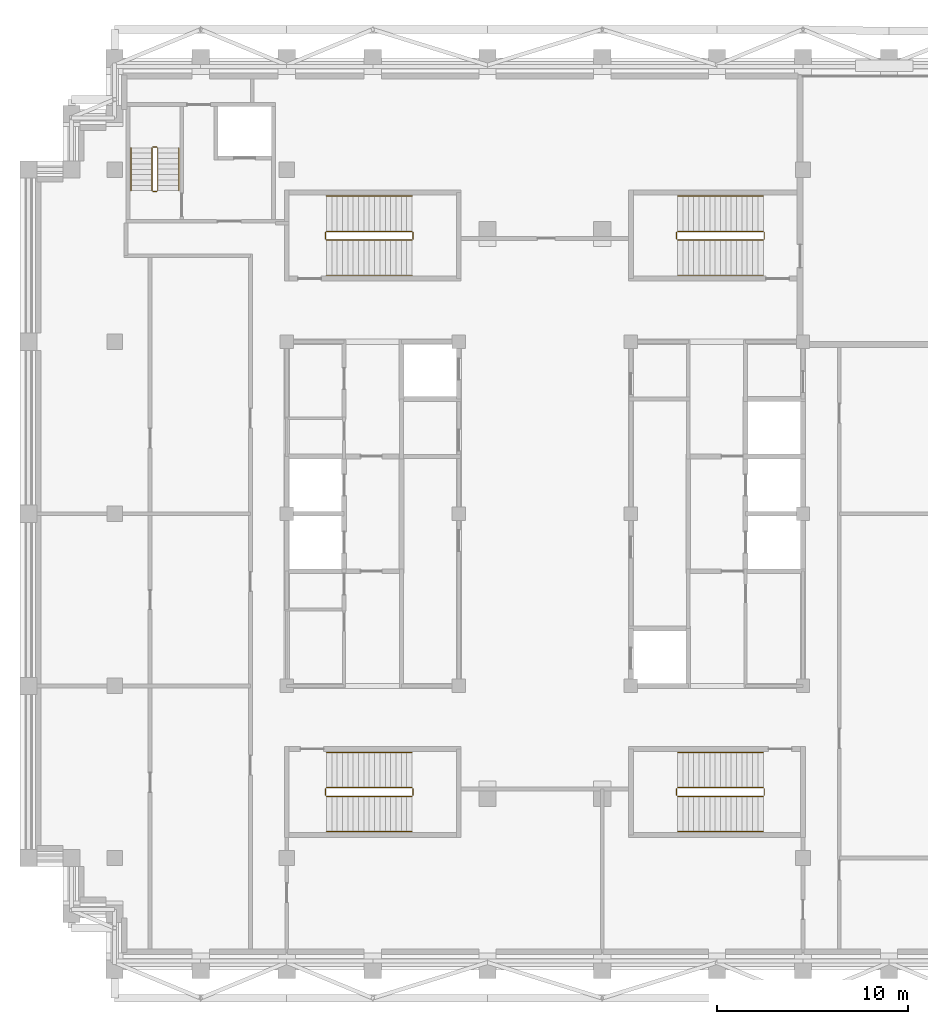
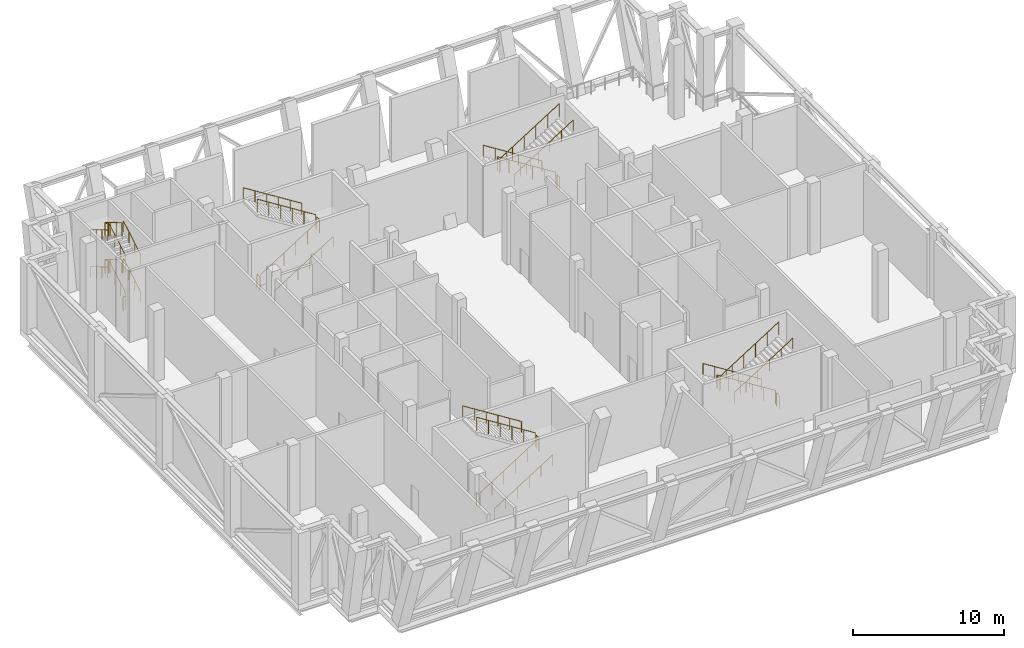
# One storey, part 8 of 9: 5 railings.
"""IFC4 building model written with IfcOpenShell, lengths in metres."""

from ifc_helpers import new_model, si_unit, direction, frame, origin, origin_2d, place, context, subcontext, project, spatial, circle, extrude, material, type_object, element, save


model = new_model("IFC4")

# Units and contexts
model_context = context("Model", 3, precision=1e-05, world=origin(), true_north=direction((0.0, 1.0)))
body_context = subcontext(model_context, "Body", "Model", "MODEL_VIEW")
ifc_project = project(units=[si_unit("LENGTHUNIT", "METRE"), si_unit("AREAUNIT", "SQUARE_METRE"), si_unit("VOLUMEUNIT", "CUBIC_METRE"), si_unit("PLANEANGLEUNIT", "RADIAN"), si_unit("MASSUNIT", "GRAM", prefix="KILO")], contexts=[model_context])

# Site, building, storey
site_placement = place(None, origin())
site = spatial("IfcSite", under=ifc_project, at=site_placement, CompositionType="ELEMENT")
building_placement = place(site_placement, origin())
building = spatial("IfcBuilding", under=site, at=building_placement, Name="Corbelhall Arena Tower", CompositionType="ELEMENT")
storey_placement = place(building_placement, frame((0.0, 0.0, 320.0)))
storey = spatial("IfcBuildingStorey", under=building, at=storey_placement, Name="L70", CompositionType="ELEMENT", Elevation=320.0)

# Railings
ifc_material = material(Name="Steel ASTM A500 Gr C", Category="steel")
railing_type = type_object("IfcRailingType", Name="IN-GD-1100", PredefinedType="GUARDRAIL", material=ifc_material)
railing_1_placement = place(storey_placement, frame((-11.425048828125, 14.324951171875, 0.176513671875)))
element("IfcRailing", 1, at=railing_1_placement, inside=storey, type_object=railing_type, Name="L70 ST1 stair guards and handrails", PredefinedType="GUARDRAIL", context=body_context, shape_type="SweptSolid", body=[
    extrude(circle(Radius=0.02392578125, at=origin_2d()), frame((0.0, 0.0, 1.076171875), z_axis=(0.845997938375, 0.0, 0.533186166611), x_axis=(0.0, 1.0, 0.0)), (0.0, 0.0, 1.0), 5.29541015625),
    extrude(circle(Radius=0.02392578125, at=origin_2d()), frame((4.530029296875, 0.050048828125, 3.8994140625), z_axis=(0.0, 1.0, 0.0), x_axis=(-1.0, 0.0, 0.0)), (0.0, 0.0, 1.0), 0.35009765625),
    extrude(circle(Radius=0.02392578125, at=origin_2d()), frame((4.47998046875, 0.449951171875, 4.076171875), z_axis=(-0.845997938375, 0.0, 0.533186166611), x_axis=(0.0, -1.0, 0.0)), (0.0, 0.0, 1.0), 5.29541015625),
    extrude(circle(Radius=0.02392578125, at=origin_2d()), frame((-0.050048828125, 0.050048828125, 0.8994140625), z_axis=(0.0, 1.0, 0.0), x_axis=(-1.0, 0.0, 0.0)), (0.0, 0.0, 1.0), 0.35009765625),
    extrude(circle(Radius=0.02392578125, at=origin_2d()), frame((0.0, -1.849853515625, 0.8759765625), z_axis=(0.845997938375, 0.0, 0.533186166611), x_axis=(0.0, 1.0, 0.0)), (0.0, 0.0, 1.0), 5.29541015625),
    extrude(circle(Radius=0.02392578125, at=origin_2d()), frame((4.47998046875, 2.300048828125, 3.8759765625), z_axis=(-0.845997938375, 0.0, 0.533186166611), x_axis=(0.0, -1.0, 0.0)), (0.0, 0.0, 1.0), 5.29541015625),
    extrude(circle(Radius=0.02099609375, at=origin_2d()), origin(), (0.0, 0.0, 1.0), 1.052001953125),
    extrude(circle(Radius=0.02099609375, at=origin_2d()), frame((0.89599609375, 0.0, 0.564697265625)), (0.0, 0.0, 1.0), 1.052001953125),
    extrude(circle(Radius=0.02099609375, at=origin_2d()), frame((1.7919921875, 0.0, 1.12939453125)), (0.0, 0.0, 1.0), 1.052001953125),
    extrude(circle(Radius=0.02099609375, at=origin_2d()), frame((2.68798828125, 0.0, 1.694091796875)), (0.0, 0.0, 1.0), 1.052001953125),
    extrude(circle(Radius=0.02099609375, at=origin_2d()), frame((3.583984375, 0.0, 2.2587890625)), (0.0, 0.0, 1.0), 1.052001953125),
    extrude(circle(Radius=0.02099609375, at=origin_2d()), frame((4.47998046875, 0.0, 2.823486328125)), (0.0, 0.0, 1.0), 1.052001953125),
    extrude(circle(Radius=0.02099609375, at=origin_2d()), frame((4.530029296875, 0.050048828125, 2.823486328125)), (0.0, 0.0, 1.0), 1.052001953125),
    extrude(circle(Radius=0.02099609375, at=origin_2d()), frame((4.530029296875, 0.400146484375, 2.823486328125)), (0.0, 0.0, 1.0), 1.052001953125),
    extrude(circle(Radius=0.02099609375, at=origin_2d()), frame((4.47998046875, 0.449951171875, 3.0)), (0.0, 0.0, 1.0), 1.052001953125),
    extrude(circle(Radius=0.02099609375, at=origin_2d()), frame((3.583984375, 0.449951171875, 3.564697265625)), (0.0, 0.0, 1.0), 1.052001953125),
    extrude(circle(Radius=0.02099609375, at=origin_2d()), frame((2.68798828125, 0.449951171875, 4.12939453125)), (0.0, 0.0, 1.0), 1.052001953125),
    extrude(circle(Radius=0.02099609375, at=origin_2d()), frame((1.7919921875, 0.449951171875, 4.694091796875)), (0.0, 0.0, 1.0), 1.052001953125),
    extrude(circle(Radius=0.02099609375, at=origin_2d()), frame((0.89599609375, 0.449951171875, 5.2587890625)), (0.0, 0.0, 1.0), 1.052001953125),
    extrude(circle(Radius=0.02099609375, at=origin_2d()), frame((0.0, 0.449951171875, 5.823486328125)), (0.0, 0.0, 1.0), 1.052001953125),
    extrude(circle(Radius=0.02099609375, at=origin_2d()), frame((-0.050048828125, 0.050048828125, -0.176513671875)), (0.0, 0.0, 1.0), 1.052001953125),
    extrude(circle(Radius=0.02099609375, at=origin_2d()), frame((-0.050048828125, 0.400146484375, -0.176513671875)), (0.0, 0.0, 1.0), 1.052001953125),
    extrude(circle(Radius=0.02099609375, at=origin_2d()), frame((0.0, -1.849853515625, 0.0)), (0.0, 0.0, 1.0), 0.851806640625),
    extrude(circle(Radius=0.02099609375, at=origin_2d()), frame((0.89599609375, -1.849853515625, 0.564697265625)), (0.0, 0.0, 1.0), 0.851806640625),
    extrude(circle(Radius=0.02099609375, at=origin_2d()), frame((1.7919921875, -1.849853515625, 1.12939453125)), (0.0, 0.0, 1.0), 0.851806640625),
    extrude(circle(Radius=0.02099609375, at=origin_2d()), frame((2.68798828125, -1.849853515625, 1.694091796875)), (0.0, 0.0, 1.0), 0.851806640625),
    extrude(circle(Radius=0.02099609375, at=origin_2d()), frame((3.583984375, -1.849853515625, 2.2587890625)), (0.0, 0.0, 1.0), 0.851806640625),
    extrude(circle(Radius=0.02099609375, at=origin_2d()), frame((4.47998046875, -1.849853515625, 2.823486328125)), (0.0, 0.0, 1.0), 0.851806640625),
    extrude(circle(Radius=0.02099609375, at=origin_2d()), frame((4.47998046875, 2.300048828125, 3.0)), (0.0, 0.0, 1.0), 0.851806640625),
    extrude(circle(Radius=0.02099609375, at=origin_2d()), frame((3.583984375, 2.300048828125, 3.564697265625)), (0.0, 0.0, 1.0), 0.851806640625),
    extrude(circle(Radius=0.02099609375, at=origin_2d()), frame((2.68798828125, 2.300048828125, 4.12939453125)), (0.0, 0.0, 1.0), 0.851806640625),
    extrude(circle(Radius=0.02099609375, at=origin_2d()), frame((1.7919921875, 2.300048828125, 4.694091796875)), (0.0, 0.0, 1.0), 0.851806640625),
    extrude(circle(Radius=0.02099609375, at=origin_2d()), frame((0.89599609375, 2.300048828125, 5.2587890625)), (0.0, 0.0, 1.0), 0.851806640625),
    extrude(circle(Radius=0.02099609375, at=origin_2d()), frame((0.0, 2.300048828125, 5.823486328125)), (0.0, 0.0, 1.0), 0.851806640625),
])
railing_2_placement = place(storey_placement, frame((-11.425048828125, -14.77490234375, 0.176513671875)))
element("IfcRailing", 2, at=railing_2_placement, inside=storey, type_object=railing_type, Name="L70 ST2 stair guards and handrails", PredefinedType="GUARDRAIL", context=body_context, shape_type="SweptSolid", body=[
    extrude(circle(Radius=0.02392578125, at=origin_2d()), frame((0.0, 0.0, 1.076171875), z_axis=(0.845997938375, 0.0, 0.533186166611), x_axis=(0.0, 1.0, 0.0)), (0.0, 0.0, 1.0), 5.29541015625),
    extrude(circle(Radius=0.02392578125, at=origin_2d()), frame((4.530029296875, 0.0498046875, 3.8994140625), z_axis=(0.0, 1.0, 0.0), x_axis=(-1.0, 0.0, 0.0)), (0.0, 0.0, 1.0), 0.35009765625),
    extrude(circle(Radius=0.02392578125, at=origin_2d()), frame((4.47998046875, 0.449951171875, 4.076171875), z_axis=(-0.845997938375, 0.0, 0.533186166611), x_axis=(0.0, -1.0, 0.0)), (0.0, 0.0, 1.0), 5.29541015625),
    extrude(circle(Radius=0.02392578125, at=origin_2d()), frame((-0.050048828125, 0.0498046875, 0.8994140625), z_axis=(0.0, 1.0, 0.0), x_axis=(-1.0, 0.0, 0.0)), (0.0, 0.0, 1.0), 0.35009765625),
    extrude(circle(Radius=0.02392578125, at=origin_2d()), frame((0.0, -1.85009765625, 0.8759765625), z_axis=(0.845997938375, 0.0, 0.533186166611), x_axis=(0.0, 1.0, 0.0)), (0.0, 0.0, 1.0), 5.29541015625),
    extrude(circle(Radius=0.02392578125, at=origin_2d()), frame((4.47998046875, 2.2998046875, 3.8759765625), z_axis=(-0.845997938375, 0.0, 0.533186166611), x_axis=(0.0, -1.0, 0.0)), (0.0, 0.0, 1.0), 5.29541015625),
    extrude(circle(Radius=0.02099609375, at=origin_2d()), origin(), (0.0, 0.0, 1.0), 1.052001953125),
    extrude(circle(Radius=0.02099609375, at=origin_2d()), frame((0.89599609375, 0.0, 0.564697265625)), (0.0, 0.0, 1.0), 1.052001953125),
    extrude(circle(Radius=0.02099609375, at=origin_2d()), frame((1.7919921875, 0.0, 1.12939453125)), (0.0, 0.0, 1.0), 1.052001953125),
    extrude(circle(Radius=0.02099609375, at=origin_2d()), frame((2.68798828125, 0.0, 1.694091796875)), (0.0, 0.0, 1.0), 1.052001953125),
    extrude(circle(Radius=0.02099609375, at=origin_2d()), frame((3.583984375, 0.0, 2.2587890625)), (0.0, 0.0, 1.0), 1.052001953125),
    extrude(circle(Radius=0.02099609375, at=origin_2d()), frame((4.47998046875, 0.0, 2.823486328125)), (0.0, 0.0, 1.0), 1.052001953125),
    extrude(circle(Radius=0.02099609375, at=origin_2d()), frame((4.530029296875, 0.0498046875, 2.823486328125)), (0.0, 0.0, 1.0), 1.052001953125),
    extrude(circle(Radius=0.02099609375, at=origin_2d()), frame((4.530029296875, 0.39990234375, 2.823486328125)), (0.0, 0.0, 1.0), 1.052001953125),
    extrude(circle(Radius=0.02099609375, at=origin_2d()), frame((4.47998046875, 0.449951171875, 3.0)), (0.0, 0.0, 1.0), 1.052001953125),
    extrude(circle(Radius=0.02099609375, at=origin_2d()), frame((3.583984375, 0.449951171875, 3.564697265625)), (0.0, 0.0, 1.0), 1.052001953125),
    extrude(circle(Radius=0.02099609375, at=origin_2d()), frame((2.68798828125, 0.449951171875, 4.12939453125)), (0.0, 0.0, 1.0), 1.052001953125),
    extrude(circle(Radius=0.02099609375, at=origin_2d()), frame((1.7919921875, 0.449951171875, 4.694091796875)), (0.0, 0.0, 1.0), 1.052001953125),
    extrude(circle(Radius=0.02099609375, at=origin_2d()), frame((0.89599609375, 0.449951171875, 5.2587890625)), (0.0, 0.0, 1.0), 1.052001953125),
    extrude(circle(Radius=0.02099609375, at=origin_2d()), frame((0.0, 0.449951171875, 5.823486328125)), (0.0, 0.0, 1.0), 1.052001953125),
    extrude(circle(Radius=0.02099609375, at=origin_2d()), frame((-0.050048828125, 0.0498046875, -0.176513671875)), (0.0, 0.0, 1.0), 1.052001953125),
    extrude(circle(Radius=0.02099609375, at=origin_2d()), frame((-0.050048828125, 0.39990234375, -0.176513671875)), (0.0, 0.0, 1.0), 1.052001953125),
    extrude(circle(Radius=0.02099609375, at=origin_2d()), frame((0.0, -1.85009765625, 0.0)), (0.0, 0.0, 1.0), 0.851806640625),
    extrude(circle(Radius=0.02099609375, at=origin_2d()), frame((0.89599609375, -1.85009765625, 0.564697265625)), (0.0, 0.0, 1.0), 0.851806640625),
    extrude(circle(Radius=0.02099609375, at=origin_2d()), frame((1.7919921875, -1.85009765625, 1.12939453125)), (0.0, 0.0, 1.0), 0.851806640625),
    extrude(circle(Radius=0.02099609375, at=origin_2d()), frame((2.68798828125, -1.85009765625, 1.694091796875)), (0.0, 0.0, 1.0), 0.851806640625),
    extrude(circle(Radius=0.02099609375, at=origin_2d()), frame((3.583984375, -1.85009765625, 2.2587890625)), (0.0, 0.0, 1.0), 0.851806640625),
    extrude(circle(Radius=0.02099609375, at=origin_2d()), frame((4.47998046875, -1.85009765625, 2.823486328125)), (0.0, 0.0, 1.0), 0.851806640625),
    extrude(circle(Radius=0.02099609375, at=origin_2d()), frame((4.47998046875, 2.2998046875, 3.0)), (0.0, 0.0, 1.0), 0.851806640625),
    extrude(circle(Radius=0.02099609375, at=origin_2d()), frame((3.583984375, 2.2998046875, 3.564697265625)), (0.0, 0.0, 1.0), 0.851806640625),
    extrude(circle(Radius=0.02099609375, at=origin_2d()), frame((2.68798828125, 2.2998046875, 4.12939453125)), (0.0, 0.0, 1.0), 0.851806640625),
    extrude(circle(Radius=0.02099609375, at=origin_2d()), frame((1.7919921875, 2.2998046875, 4.694091796875)), (0.0, 0.0, 1.0), 0.851806640625),
    extrude(circle(Radius=0.02099609375, at=origin_2d()), frame((0.89599609375, 2.2998046875, 5.2587890625)), (0.0, 0.0, 1.0), 0.851806640625),
    extrude(circle(Radius=0.02099609375, at=origin_2d()), frame((0.0, 2.2998046875, 5.823486328125)), (0.0, 0.0, 1.0), 0.851806640625),
])
railing_3_placement = place(storey_placement, frame((11.425048828125, 14.77490234375, 0.176513671875)))
element("IfcRailing", 3, at=railing_3_placement, inside=storey, type_object=railing_type, Name="L70 ST3 stair guards and handrails", PredefinedType="GUARDRAIL", context=body_context, shape_type="SweptSolid", body=[
    extrude(circle(Radius=0.02392578125, at=origin_2d()), frame((0.0, 0.0, 1.076171875), z_axis=(-0.845997938375, 0.0, 0.533186166611), x_axis=(0.0, -1.0, 0.0)), (0.0, 0.0, 1.0), 5.29541015625),
    extrude(circle(Radius=0.02392578125, at=origin_2d()), frame((-4.530029296875, -0.0498046875, 3.8994140625), z_axis=(0.0, -1.0, 0.0), x_axis=(1.0, 0.0, 0.0)), (0.0, 0.0, 1.0), 0.35009765625),
    extrude(circle(Radius=0.02392578125, at=origin_2d()), frame((-4.47998046875, -0.449951171875, 4.076171875), z_axis=(0.845997938375, 0.0, 0.533186166611), x_axis=(0.0, 1.0, 0.0)), (0.0, 0.0, 1.0), 5.29541015625),
    extrude(circle(Radius=0.02392578125, at=origin_2d()), frame((0.050048828125, -0.0498046875, 0.8994140625), z_axis=(0.0, -1.0, 0.0), x_axis=(1.0, 0.0, 0.0)), (0.0, 0.0, 1.0), 0.35009765625),
    extrude(circle(Radius=0.02392578125, at=origin_2d()), frame((0.0, 1.85009765625, 0.8759765625), z_axis=(-0.845997938375, 0.0, 0.533186166611), x_axis=(0.0, -1.0, 0.0)), (0.0, 0.0, 1.0), 5.29541015625),
    extrude(circle(Radius=0.02392578125, at=origin_2d()), frame((-4.47998046875, -2.2998046875, 3.8759765625), z_axis=(0.845997938375, 0.0, 0.533186166611), x_axis=(0.0, 1.0, 0.0)), (0.0, 0.0, 1.0), 5.29541015625),
    extrude(circle(Radius=0.02099609375, at=origin_2d()), origin(), (0.0, 0.0, 1.0), 1.052001953125),
    extrude(circle(Radius=0.02099609375, at=origin_2d()), frame((-0.89599609375, 0.0, 0.564697265625)), (0.0, 0.0, 1.0), 1.052001953125),
    extrude(circle(Radius=0.02099609375, at=origin_2d()), frame((-1.7919921875, 0.0, 1.12939453125)), (0.0, 0.0, 1.0), 1.052001953125),
    extrude(circle(Radius=0.02099609375, at=origin_2d()), frame((-2.68798828125, 0.0, 1.694091796875)), (0.0, 0.0, 1.0), 1.052001953125),
    extrude(circle(Radius=0.02099609375, at=origin_2d()), frame((-3.583984375, 0.0, 2.2587890625)), (0.0, 0.0, 1.0), 1.052001953125),
    extrude(circle(Radius=0.02099609375, at=origin_2d()), frame((-4.47998046875, 0.0, 2.823486328125)), (0.0, 0.0, 1.0), 1.052001953125),
    extrude(circle(Radius=0.02099609375, at=origin_2d()), frame((-4.530029296875, -0.0498046875, 2.823486328125)), (0.0, 0.0, 1.0), 1.052001953125),
    extrude(circle(Radius=0.02099609375, at=origin_2d()), frame((-4.530029296875, -0.39990234375, 2.823486328125)), (0.0, 0.0, 1.0), 1.052001953125),
    extrude(circle(Radius=0.02099609375, at=origin_2d()), frame((-4.47998046875, -0.449951171875, 3.0)), (0.0, 0.0, 1.0), 1.052001953125),
    extrude(circle(Radius=0.02099609375, at=origin_2d()), frame((-3.583984375, -0.449951171875, 3.564697265625)), (0.0, 0.0, 1.0), 1.052001953125),
    extrude(circle(Radius=0.02099609375, at=origin_2d()), frame((-2.68798828125, -0.449951171875, 4.12939453125)), (0.0, 0.0, 1.0), 1.052001953125),
    extrude(circle(Radius=0.02099609375, at=origin_2d()), frame((-1.7919921875, -0.449951171875, 4.694091796875)), (0.0, 0.0, 1.0), 1.052001953125),
    extrude(circle(Radius=0.02099609375, at=origin_2d()), frame((-0.89599609375, -0.449951171875, 5.2587890625)), (0.0, 0.0, 1.0), 1.052001953125),
    extrude(circle(Radius=0.02099609375, at=origin_2d()), frame((0.0, -0.449951171875, 5.823486328125)), (0.0, 0.0, 1.0), 1.052001953125),
    extrude(circle(Radius=0.02099609375, at=origin_2d()), frame((0.050048828125, -0.0498046875, -0.176513671875)), (0.0, 0.0, 1.0), 1.052001953125),
    extrude(circle(Radius=0.02099609375, at=origin_2d()), frame((0.050048828125, -0.39990234375, -0.176513671875)), (0.0, 0.0, 1.0), 1.052001953125),
    extrude(circle(Radius=0.02099609375, at=origin_2d()), frame((0.0, 1.85009765625, 0.0)), (0.0, 0.0, 1.0), 0.851806640625),
    extrude(circle(Radius=0.02099609375, at=origin_2d()), frame((-0.89599609375, 1.85009765625, 0.564697265625)), (0.0, 0.0, 1.0), 0.851806640625),
    extrude(circle(Radius=0.02099609375, at=origin_2d()), frame((-1.7919921875, 1.85009765625, 1.12939453125)), (0.0, 0.0, 1.0), 0.851806640625),
    extrude(circle(Radius=0.02099609375, at=origin_2d()), frame((-2.68798828125, 1.85009765625, 1.694091796875)), (0.0, 0.0, 1.0), 0.851806640625),
    extrude(circle(Radius=0.02099609375, at=origin_2d()), frame((-3.583984375, 1.85009765625, 2.2587890625)), (0.0, 0.0, 1.0), 0.851806640625),
    extrude(circle(Radius=0.02099609375, at=origin_2d()), frame((-4.47998046875, 1.85009765625, 2.823486328125)), (0.0, 0.0, 1.0), 0.851806640625),
    extrude(circle(Radius=0.02099609375, at=origin_2d()), frame((-4.47998046875, -2.2998046875, 3.0)), (0.0, 0.0, 1.0), 0.851806640625),
    extrude(circle(Radius=0.02099609375, at=origin_2d()), frame((-3.583984375, -2.2998046875, 3.564697265625)), (0.0, 0.0, 1.0), 0.851806640625),
    extrude(circle(Radius=0.02099609375, at=origin_2d()), frame((-2.68798828125, -2.2998046875, 4.12939453125)), (0.0, 0.0, 1.0), 0.851806640625),
    extrude(circle(Radius=0.02099609375, at=origin_2d()), frame((-1.7919921875, -2.2998046875, 4.694091796875)), (0.0, 0.0, 1.0), 0.851806640625),
    extrude(circle(Radius=0.02099609375, at=origin_2d()), frame((-0.89599609375, -2.2998046875, 5.2587890625)), (0.0, 0.0, 1.0), 0.851806640625),
    extrude(circle(Radius=0.02099609375, at=origin_2d()), frame((0.0, -2.2998046875, 5.823486328125)), (0.0, 0.0, 1.0), 0.851806640625),
])
railing_4_placement = place(storey_placement, frame((11.425048828125, -14.324951171875, 0.176513671875)))
element("IfcRailing", 4, at=railing_4_placement, inside=storey, type_object=railing_type, Name="L70 ST4 stair guards and handrails", PredefinedType="GUARDRAIL", context=body_context, shape_type="SweptSolid", body=[
    extrude(circle(Radius=0.02392578125, at=origin_2d()), frame((0.0, 0.0, 1.076171875), z_axis=(-0.845997938375, 0.0, 0.533186166611), x_axis=(0.0, -1.0, 0.0)), (0.0, 0.0, 1.0), 5.29541015625),
    extrude(circle(Radius=0.02392578125, at=origin_2d()), frame((-4.530029296875, -0.050048828125, 3.8994140625), z_axis=(0.0, -1.0, 0.0), x_axis=(1.0, 0.0, 0.0)), (0.0, 0.0, 1.0), 0.35009765625),
    extrude(circle(Radius=0.02392578125, at=origin_2d()), frame((-4.47998046875, -0.449951171875, 4.076171875), z_axis=(0.845997938375, 0.0, 0.533186166611), x_axis=(0.0, 1.0, 0.0)), (0.0, 0.0, 1.0), 5.29541015625),
    extrude(circle(Radius=0.02392578125, at=origin_2d()), frame((0.050048828125, -0.050048828125, 0.8994140625), z_axis=(0.0, -1.0, 0.0), x_axis=(1.0, 0.0, 0.0)), (0.0, 0.0, 1.0), 0.35009765625),
    extrude(circle(Radius=0.02392578125, at=origin_2d()), frame((0.0, 1.849853515625, 0.8759765625), z_axis=(-0.845997938375, 0.0, 0.533186166611), x_axis=(0.0, -1.0, 0.0)), (0.0, 0.0, 1.0), 5.29541015625),
    extrude(circle(Radius=0.02392578125, at=origin_2d()), frame((-4.47998046875, -2.300048828125, 3.8759765625), z_axis=(0.845997938375, 0.0, 0.533186166611), x_axis=(0.0, 1.0, 0.0)), (0.0, 0.0, 1.0), 5.29541015625),
    extrude(circle(Radius=0.02099609375, at=origin_2d()), origin(), (0.0, 0.0, 1.0), 1.052001953125),
    extrude(circle(Radius=0.02099609375, at=origin_2d()), frame((-0.89599609375, 0.0, 0.564697265625)), (0.0, 0.0, 1.0), 1.052001953125),
    extrude(circle(Radius=0.02099609375, at=origin_2d()), frame((-1.7919921875, 0.0, 1.12939453125)), (0.0, 0.0, 1.0), 1.052001953125),
    extrude(circle(Radius=0.02099609375, at=origin_2d()), frame((-2.68798828125, 0.0, 1.694091796875)), (0.0, 0.0, 1.0), 1.052001953125),
    extrude(circle(Radius=0.02099609375, at=origin_2d()), frame((-3.583984375, 0.0, 2.2587890625)), (0.0, 0.0, 1.0), 1.052001953125),
    extrude(circle(Radius=0.02099609375, at=origin_2d()), frame((-4.47998046875, 0.0, 2.823486328125)), (0.0, 0.0, 1.0), 1.052001953125),
    extrude(circle(Radius=0.02099609375, at=origin_2d()), frame((-4.530029296875, -0.050048828125, 2.823486328125)), (0.0, 0.0, 1.0), 1.052001953125),
    extrude(circle(Radius=0.02099609375, at=origin_2d()), frame((-4.530029296875, -0.400146484375, 2.823486328125)), (0.0, 0.0, 1.0), 1.052001953125),
    extrude(circle(Radius=0.02099609375, at=origin_2d()), frame((-4.47998046875, -0.449951171875, 3.0)), (0.0, 0.0, 1.0), 1.052001953125),
    extrude(circle(Radius=0.02099609375, at=origin_2d()), frame((-3.583984375, -0.449951171875, 3.564697265625)), (0.0, 0.0, 1.0), 1.052001953125),
    extrude(circle(Radius=0.02099609375, at=origin_2d()), frame((-2.68798828125, -0.449951171875, 4.12939453125)), (0.0, 0.0, 1.0), 1.052001953125),
    extrude(circle(Radius=0.02099609375, at=origin_2d()), frame((-1.7919921875, -0.449951171875, 4.694091796875)), (0.0, 0.0, 1.0), 1.052001953125),
    extrude(circle(Radius=0.02099609375, at=origin_2d()), frame((-0.89599609375, -0.449951171875, 5.2587890625)), (0.0, 0.0, 1.0), 1.052001953125),
    extrude(circle(Radius=0.02099609375, at=origin_2d()), frame((0.0, -0.449951171875, 5.823486328125)), (0.0, 0.0, 1.0), 1.052001953125),
    extrude(circle(Radius=0.02099609375, at=origin_2d()), frame((0.050048828125, -0.050048828125, -0.176513671875)), (0.0, 0.0, 1.0), 1.052001953125),
    extrude(circle(Radius=0.02099609375, at=origin_2d()), frame((0.050048828125, -0.400146484375, -0.176513671875)), (0.0, 0.0, 1.0), 1.052001953125),
    extrude(circle(Radius=0.02099609375, at=origin_2d()), frame((0.0, 1.849853515625, 0.0)), (0.0, 0.0, 1.0), 0.851806640625),
    extrude(circle(Radius=0.02099609375, at=origin_2d()), frame((-0.89599609375, 1.849853515625, 0.564697265625)), (0.0, 0.0, 1.0), 0.851806640625),
    extrude(circle(Radius=0.02099609375, at=origin_2d()), frame((-1.7919921875, 1.849853515625, 1.12939453125)), (0.0, 0.0, 1.0), 0.851806640625),
    extrude(circle(Radius=0.02099609375, at=origin_2d()), frame((-2.68798828125, 1.849853515625, 1.694091796875)), (0.0, 0.0, 1.0), 0.851806640625),
    extrude(circle(Radius=0.02099609375, at=origin_2d()), frame((-3.583984375, 1.849853515625, 2.2587890625)), (0.0, 0.0, 1.0), 0.851806640625),
    extrude(circle(Radius=0.02099609375, at=origin_2d()), frame((-4.47998046875, 1.849853515625, 2.823486328125)), (0.0, 0.0, 1.0), 0.851806640625),
    extrude(circle(Radius=0.02099609375, at=origin_2d()), frame((-4.47998046875, -2.300048828125, 3.0)), (0.0, 0.0, 1.0), 0.851806640625),
    extrude(circle(Radius=0.02099609375, at=origin_2d()), frame((-3.583984375, -2.300048828125, 3.564697265625)), (0.0, 0.0, 1.0), 0.851806640625),
    extrude(circle(Radius=0.02099609375, at=origin_2d()), frame((-2.68798828125, -2.300048828125, 4.12939453125)), (0.0, 0.0, 1.0), 0.851806640625),
    extrude(circle(Radius=0.02099609375, at=origin_2d()), frame((-1.7919921875, -2.300048828125, 4.694091796875)), (0.0, 0.0, 1.0), 0.851806640625),
    extrude(circle(Radius=0.02099609375, at=origin_2d()), frame((-0.89599609375, -2.300048828125, 5.2587890625)), (0.0, 0.0, 1.0), 0.851806640625),
    extrude(circle(Radius=0.02099609375, at=origin_2d()), frame((0.0, -2.300048828125, 5.823486328125)), (0.0, 0.0, 1.0), 0.851806640625),
])
railing_5_placement = place(storey_placement, frame((-20.2451171875, 16.89990234375, 0.166748046875)))
element("IfcRailing", 5, at=railing_5_placement, inside=storey, type_object=railing_type, Name="L70 ST5 stair guards and handrails", PredefinedType="GUARDRAIL", context=body_context, shape_type="SweptSolid", body=[
    extrude(circle(Radius=0.02392578125, at=origin_2d()), frame((0.0, 0.0, 1.076171875), z_axis=(0.0, 0.859305625298, 0.511462454469), x_axis=(-1.0, 0.0, 0.0)), (0.0, 0.0, 1.0), 2.606689453125),
    extrude(circle(Radius=0.02392578125, at=origin_2d()), frame((-0.0498046875, 2.2900390625, 2.4091796875), z_axis=(-1.0, 0.0, 0.0), x_axis=(0.0, -1.0, 0.0)), (0.0, 0.0, 1.0), 0.2001953125),
    extrude(circle(Radius=0.02392578125, at=origin_2d()), frame((-0.2998046875, 2.239990234375, 2.576171875), z_axis=(0.0, -0.859305625298, 0.511462454469), x_axis=(1.0, 0.0, 0.0)), (0.0, 0.0, 1.0), 2.606689453125),
    extrude(circle(Radius=0.02392578125, at=origin_2d()), frame((-0.0498046875, -0.0498046875, 3.9091796875), z_axis=(-1.0, 0.0, 0.0), x_axis=(0.0, -1.0, 0.0)), (0.0, 0.0, 1.0), 0.2001953125),
    extrude(circle(Radius=0.02392578125, at=origin_2d()), frame((0.0, 0.0, 4.076171875), z_axis=(0.0, 0.859305625298, 0.511462454469), x_axis=(-1.0, 0.0, 0.0)), (0.0, 0.0, 1.0), 2.606689453125),
    extrude(circle(Radius=0.02392578125, at=origin_2d()), frame((-0.0498046875, 2.2900390625, 5.4091796875), z_axis=(-1.0, 0.0, 0.0), x_axis=(0.0, -1.0, 0.0)), (0.0, 0.0, 1.0), 0.2001953125),
    extrude(circle(Radius=0.02392578125, at=origin_2d()), frame((-0.2998046875, 2.239990234375, 5.576171875), z_axis=(0.0, -0.859305625298, 0.511462454469), x_axis=(1.0, 0.0, 0.0)), (0.0, 0.0, 1.0), 2.606689453125),
    extrude(circle(Radius=0.02392578125, at=origin_2d()), frame((-0.0498046875, -0.0498046875, 0.9091796875), z_axis=(-1.0, 0.0, 0.0), x_axis=(0.0, -1.0, 0.0)), (0.0, 0.0, 1.0), 0.2001953125),
    extrude(circle(Radius=0.02392578125, at=origin_2d()), frame((1.10009765625, 0.0, 0.8759765625), z_axis=(0.0, 0.859305625298, 0.511462454469), x_axis=(-1.0, 0.0, 0.0)), (0.0, 0.0, 1.0), 2.606689453125),
    extrude(circle(Radius=0.02392578125, at=origin_2d()), frame((-1.39990234375, 2.239990234375, 2.3759765625), z_axis=(0.0, -0.859305625298, 0.511462454469), x_axis=(1.0, 0.0, 0.0)), (0.0, 0.0, 1.0), 2.606689453125),
    extrude(circle(Radius=0.02392578125, at=origin_2d()), frame((1.10009765625, 0.0, 3.8759765625), z_axis=(0.0, 0.859305625298, 0.511462454469), x_axis=(-1.0, 0.0, 0.0)), (0.0, 0.0, 1.0), 2.606689453125),
    extrude(circle(Radius=0.02392578125, at=origin_2d()), frame((-1.39990234375, 2.239990234375, 5.3759765625), z_axis=(0.0, -0.859305625298, 0.511462454469), x_axis=(1.0, 0.0, 0.0)), (0.0, 0.0, 1.0), 2.606689453125),
    extrude(circle(Radius=0.02099609375, at=origin_2d()), origin(), (0.0, 0.0, 1.0), 1.052001953125),
    extrude(circle(Radius=0.02099609375, at=origin_2d()), frame((0.0, 0.74658203125, 0.4443359375)), (0.0, 0.0, 1.0), 1.052001953125),
    extrude(circle(Radius=0.02099609375, at=origin_2d()), frame((0.0, 1.493408203125, 0.888916015625)), (0.0, 0.0, 1.0), 1.052001953125),
    extrude(circle(Radius=0.02099609375, at=origin_2d()), frame((0.0, 2.239990234375, 1.333251953125)), (0.0, 0.0, 1.0), 1.052001953125),
    extrude(circle(Radius=0.02099609375, at=origin_2d()), frame((-0.0498046875, 2.2900390625, 1.333251953125)), (0.0, 0.0, 1.0), 1.052001953125),
    extrude(circle(Radius=0.02099609375, at=origin_2d()), frame((-0.25, 2.2900390625, 1.333251953125)), (0.0, 0.0, 1.0), 1.052001953125),
    extrude(circle(Radius=0.02099609375, at=origin_2d()), frame((-0.2998046875, 2.239990234375, 1.5)), (0.0, 0.0, 1.0), 1.052001953125),
    extrude(circle(Radius=0.02099609375, at=origin_2d()), frame((-0.2998046875, 1.493408203125, 1.9443359375)), (0.0, 0.0, 1.0), 1.052001953125),
    extrude(circle(Radius=0.02099609375, at=origin_2d()), frame((-0.2998046875, 0.74658203125, 2.388916015625)), (0.0, 0.0, 1.0), 1.052001953125),
    extrude(circle(Radius=0.02099609375, at=origin_2d()), frame((-0.2998046875, 0.0, 2.833251953125)), (0.0, 0.0, 1.0), 1.052001953125),
    extrude(circle(Radius=0.02099609375, at=origin_2d()), frame((-0.0498046875, -0.0498046875, 2.833251953125)), (0.0, 0.0, 1.0), 1.052001953125),
    extrude(circle(Radius=0.02099609375, at=origin_2d()), frame((-0.25, -0.0498046875, 2.833251953125)), (0.0, 0.0, 1.0), 1.052001953125),
    extrude(circle(Radius=0.02099609375, at=origin_2d()), frame((0.0, 0.0, 3.0)), (0.0, 0.0, 1.0), 1.052001953125),
    extrude(circle(Radius=0.02099609375, at=origin_2d()), frame((0.0, 0.74658203125, 3.4443359375)), (0.0, 0.0, 1.0), 1.052001953125),
    extrude(circle(Radius=0.02099609375, at=origin_2d()), frame((0.0, 1.493408203125, 3.888916015625)), (0.0, 0.0, 1.0), 1.052001953125),
    extrude(circle(Radius=0.02099609375, at=origin_2d()), frame((0.0, 2.239990234375, 4.333251953125)), (0.0, 0.0, 1.0), 1.052001953125),
    extrude(circle(Radius=0.02099609375, at=origin_2d()), frame((-0.0498046875, 2.2900390625, 4.333251953125)), (0.0, 0.0, 1.0), 1.052001953125),
    extrude(circle(Radius=0.02099609375, at=origin_2d()), frame((-0.25, 2.2900390625, 4.333251953125)), (0.0, 0.0, 1.0), 1.052001953125),
    extrude(circle(Radius=0.02099609375, at=origin_2d()), frame((-0.2998046875, 2.239990234375, 4.5)), (0.0, 0.0, 1.0), 1.052001953125),
    extrude(circle(Radius=0.02099609375, at=origin_2d()), frame((-0.2998046875, 1.493408203125, 4.9443359375)), (0.0, 0.0, 1.0), 1.052001953125),
    extrude(circle(Radius=0.02099609375, at=origin_2d()), frame((-0.2998046875, 0.74658203125, 5.388916015625)), (0.0, 0.0, 1.0), 1.052001953125),
    extrude(circle(Radius=0.02099609375, at=origin_2d()), frame((-0.2998046875, 0.0, 5.833251953125)), (0.0, 0.0, 1.0), 1.052001953125),
    extrude(circle(Radius=0.02099609375, at=origin_2d()), frame((-0.0498046875, -0.0498046875, -0.166748046875)), (0.0, 0.0, 1.0), 1.052001953125),
    extrude(circle(Radius=0.02099609375, at=origin_2d()), frame((-0.25, -0.0498046875, -0.166748046875)), (0.0, 0.0, 1.0), 1.052001953125),
    extrude(circle(Radius=0.02099609375, at=origin_2d()), frame((1.10009765625, 0.0, 0.0)), (0.0, 0.0, 1.0), 0.851806640625),
    extrude(circle(Radius=0.02099609375, at=origin_2d()), frame((1.10009765625, 0.74658203125, 0.4443359375)), (0.0, 0.0, 1.0), 0.851806640625),
    extrude(circle(Radius=0.02099609375, at=origin_2d()), frame((1.10009765625, 1.493408203125, 0.888916015625)), (0.0, 0.0, 1.0), 0.851806640625),
    extrude(circle(Radius=0.02099609375, at=origin_2d()), frame((1.10009765625, 2.239990234375, 1.333251953125)), (0.0, 0.0, 1.0), 0.851806640625),
    extrude(circle(Radius=0.02099609375, at=origin_2d()), frame((-1.39990234375, 2.239990234375, 1.5)), (0.0, 0.0, 1.0), 0.851806640625),
    extrude(circle(Radius=0.02099609375, at=origin_2d()), frame((-1.39990234375, 1.493408203125, 1.9443359375)), (0.0, 0.0, 1.0), 0.851806640625),
    extrude(circle(Radius=0.02099609375, at=origin_2d()), frame((-1.39990234375, 0.74658203125, 2.388916015625)), (0.0, 0.0, 1.0), 0.851806640625),
    extrude(circle(Radius=0.02099609375, at=origin_2d()), frame((-1.39990234375, 0.0, 2.833251953125)), (0.0, 0.0, 1.0), 0.851806640625),
    extrude(circle(Radius=0.02099609375, at=origin_2d()), frame((1.10009765625, 0.0, 3.0)), (0.0, 0.0, 1.0), 0.851806640625),
    extrude(circle(Radius=0.02099609375, at=origin_2d()), frame((1.10009765625, 0.74658203125, 3.4443359375)), (0.0, 0.0, 1.0), 0.851806640625),
    extrude(circle(Radius=0.02099609375, at=origin_2d()), frame((1.10009765625, 1.493408203125, 3.888916015625)), (0.0, 0.0, 1.0), 0.851806640625),
    extrude(circle(Radius=0.02099609375, at=origin_2d()), frame((1.10009765625, 2.239990234375, 4.333251953125)), (0.0, 0.0, 1.0), 0.851806640625),
    extrude(circle(Radius=0.02099609375, at=origin_2d()), frame((-1.39990234375, 2.239990234375, 4.5)), (0.0, 0.0, 1.0), 0.851806640625),
    extrude(circle(Radius=0.02099609375, at=origin_2d()), frame((-1.39990234375, 1.493408203125, 4.9443359375)), (0.0, 0.0, 1.0), 0.851806640625),
    extrude(circle(Radius=0.02099609375, at=origin_2d()), frame((-1.39990234375, 0.74658203125, 5.388916015625)), (0.0, 0.0, 1.0), 0.851806640625),
    extrude(circle(Radius=0.02099609375, at=origin_2d()), frame((-1.39990234375, 0.0, 5.833251953125)), (0.0, 0.0, 1.0), 0.851806640625),
])

save(model, "model.ifc")
